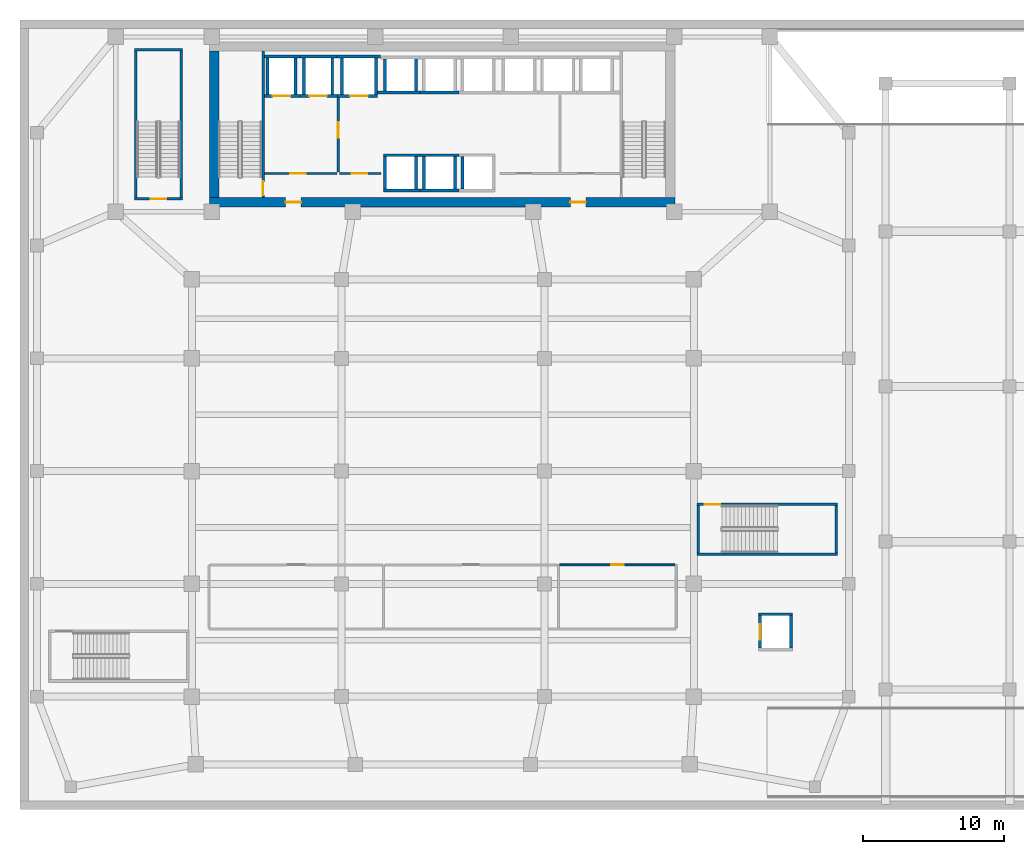
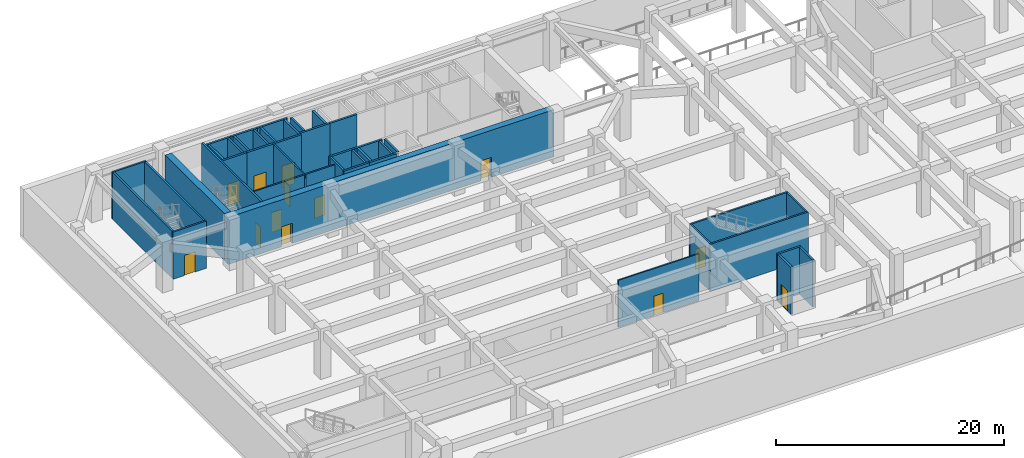
# One storey, part 6 of 14: 43 walls, 13 doors, 13 openings.
"""IFC4 building model written with IfcOpenShell, lengths in metres."""

from ifc_helpers import new_model, si_unit, direction, frame, frame_2d, origin, place, context, subcontext, project, spatial, rectangle, extrude, material, layer, layer_set, type_object, element, fill, save


model = new_model("IFC4")

# Units and contexts
model_context = context("Model", 3, precision=1e-05, world=origin(), true_north=direction((0.0, 1.0)))
body_context = subcontext(model_context, "Body", "Model", "MODEL_VIEW")
ifc_project = project(units=[si_unit("LENGTHUNIT", "METRE"), si_unit("AREAUNIT", "SQUARE_METRE"), si_unit("VOLUMEUNIT", "CUBIC_METRE"), si_unit("PLANEANGLEUNIT", "RADIAN"), si_unit("MASSUNIT", "GRAM", prefix="KILO")], contexts=[model_context])

# Site, building, storey
site_placement = place(None, origin())
site = spatial("IfcSite", under=ifc_project, at=site_placement, CompositionType="ELEMENT")
building_placement = place(site_placement, origin())
building = spatial("IfcBuilding", under=site, at=building_placement, Name="Saevonmaru Cultural Tower", CompositionType="ELEMENT")
storey_placement = place(building_placement, frame((0.0, 0.0, -5.39990234375)))
storey = spatial("IfcBuildingStorey", under=building, at=storey_placement, Name="B1", CompositionType="ELEMENT", Elevation=-5.39990234375)

# Wall, openings, doors
ifc_material_1 = material(Name="Concrete C60/75", Category="concrete")
ifc_layer_1 = layer(ifc_material_1, 0.64990234375, Name="Concrete C60/75")
ifc_layer_set_1 = layer_set([ifc_layer_1], Name="Concrete C60/75")
wall_type_1 = type_object("IfcWallType", Name="WL-CORE-650", PredefinedType="SHEAR", material=ifc_layer_set_1)
wall_1_placement = place(storey_placement, frame((13.449951171875, 43.074951171875, 0.0), z_axis=(0.0, 0.0, 1.0), x_axis=(1.0, 0.0, 0.0)))
wall_1 = element("IfcWall", 1, at=wall_1_placement, inside=storey, type_object=wall_type_1, Name="B1 Tower RC core shear wall S", PredefinedType="SHEAR", context=body_context, shape_type="SweptSolid", body=[
    extrude(rectangle(XDim=33.0, YDim=0.64990234375, at=frame_2d((16.5, 0.0))), origin(), (0.0, 0.0, 1.0), 5.0498046875),
])
opening_1_placement = place(wall_1_placement, frame((5.39990234375, 0.0, 0.0)))
opening_1 = element("IfcOpeningElement", 2, at=opening_1_placement, cuts=wall_1, Name="Opening FD-2", PredefinedType="OPENING", context=body_context, shape_type="SweptSolid", body=[
    extrude(rectangle(XDim=1.10009765625, YDim=2.14990234375, at=frame_2d((0.550048828125, 1.074951171875))), frame((0.0, 0.3349609375, 0.0), z_axis=(0.0, -1.0, 0.0), x_axis=(1.0, 0.0, 0.0)), (0.0, 0.0, 1.0), 0.669921875),
])
opening_2_placement = place(wall_1_placement, frame((25.60009765625, 0.0, 0.0)))
opening_2 = element("IfcOpeningElement", 3, at=opening_2_placement, cuts=wall_1, Name="Opening FD-2", PredefinedType="OPENING", context=body_context, shape_type="SweptSolid", body=[
    extrude(rectangle(XDim=1.10009765625, YDim=2.14990234375, at=frame_2d((0.550048828125, 1.074951171875))), frame((0.0, 0.3349609375, 0.0), z_axis=(0.0, -1.0, 0.0), x_axis=(1.0, 0.0, 0.0)), (0.0, 0.0, 1.0), 0.669921875),
])
ifc_material_2 = material(Name="Satin Bronze Anodised Aluminium", Category="aluminium")
door_type_1 = type_object("IfcDoorType", Name="DR-FD60-1100", OperationType="SINGLE_SWING_LEFT", PredefinedType="DOOR", material=ifc_material_2)
door_1_placement = place(opening_1_placement, origin())
door_1 = element("IfcDoor", 4, at=door_1_placement, inside=storey, type_object=door_type_1, Name="B1 Core West Lobby Fire Door", OperationType="SINGLE_SWING_LEFT", OverallHeight=2.14990234375, OverallWidth=1.10009765625, PredefinedType="DOOR", context=body_context, shape_type="SweptSolid", body=[
    extrude(rectangle(XDim=1.10009765625, YDim=2.14990234375, at=frame_2d((0.550048828125, 1.074951171875))), frame((0.0, 0.02490234375, 0.0), z_axis=(0.0, -1.0, 0.0), x_axis=(1.0, 0.0, 0.0)), (0.0, 0.0, 1.0), 0.050048828125),
])
fill(opening_1, door_1)
door_2_placement = place(opening_2_placement, origin())
door_2 = element("IfcDoor", 5, at=door_2_placement, inside=storey, type_object=door_type_1, Name="B1 Core East Lobby Fire Door", OperationType="SINGLE_SWING_LEFT", OverallHeight=2.14990234375, OverallWidth=1.10009765625, PredefinedType="DOOR", context=body_context, shape_type="SweptSolid", body=[
    extrude(rectangle(XDim=1.10009765625, YDim=2.14990234375, at=frame_2d((0.550048828125, 1.074951171875))), frame((0.0, 0.02490234375, 0.0), z_axis=(0.0, -1.0, 0.0), x_axis=(1.0, 0.0, 0.0)), (0.0, 0.0, 1.0), 0.050048828125),
])
fill(opening_2, door_2)

# Wall
wall_2_placement = place(storey_placement, frame((13.77490234375, 43.39990234375, 0.0), z_axis=(0.0, 0.0, 1.0), x_axis=(0.0, 1.0, 0.0)))
element("IfcWall", 6, at=wall_2_placement, inside=storey, type_object=wall_type_1, Name="B1 Tower RC core shear wall W", PredefinedType="SHEAR", context=body_context, shape_type="SweptSolid", body=[
    extrude(rectangle(XDim=10.400146484375, YDim=0.64990234375, at=frame_2d((5.2001953125, 0.0))), origin(), (0.0, 0.0, 1.0), 5.0498046875),
])

# Wall, opening, door
ifc_material_3 = material(Name="Gypsum Fireboard Partition", Category="gypsum")
ifc_layer_2 = layer(ifc_material_3, 0.14990234375, Name="Gypsum Fireboard Partition")
ifc_layer_set_2 = layer_set([ifc_layer_2], Name="Gypsum Fireboard Partition")
wall_type_2 = type_object("IfcWallType", Name="WL-CORE-PART-150", PredefinedType="PARTITIONING", material=ifc_layer_set_2)
wall_3_placement = place(storey_placement, frame((17.360107421875, 45.1201171875, 0.0), z_axis=(0.0, 0.0, 1.0), x_axis=(1.0, 0.0, 0.0)))
wall_3 = element("IfcWall", 7, at=wall_3_placement, inside=storey, type_object=wall_type_2, Name="B1 Firefighting Lift Lobby South Wall", PredefinedType="PARTITIONING", context=body_context, shape_type="SweptSolid", body=[
    extrude(rectangle(XDim=5.139892578125, YDim=0.14990234375, at=frame_2d((2.56982421875, 0.0))), origin(), (0.0, 0.0, 1.0), 5.0498046875),
])
opening_3_placement = place(wall_3_placement, frame((1.800048828125, 0.0, 0.0)))
opening_3 = element("IfcOpeningElement", 8, at=opening_3_placement, cuts=wall_3, Name="Opening FD-2", PredefinedType="OPENING", context=body_context, shape_type="SweptSolid", body=[
    extrude(rectangle(XDim=1.10009765625, YDim=2.14990234375, at=frame_2d((0.550048828125, 1.074951171875))), frame((0.0, 0.0849609375, 0.0), z_axis=(0.0, -1.0, 0.0), x_axis=(1.0, 0.0, 0.0)), (0.0, 0.0, 1.0), 0.169921875),
])
door_3_placement = place(opening_3_placement, origin())
door_3 = element("IfcDoor", 9, at=door_3_placement, inside=storey, type_object=door_type_1, Name="B1 Firefighting Lift Lobby South Door", OperationType="SINGLE_SWING_LEFT", OverallHeight=2.14990234375, OverallWidth=1.10009765625, PredefinedType="DOOR", context=body_context, shape_type="SweptSolid", body=[
    extrude(rectangle(XDim=1.10009765625, YDim=2.14990234375, at=frame_2d((0.550048828125, 1.074951171875))), frame((0.0, 0.02490234375, 0.0), z_axis=(0.0, -1.0, 0.0), x_axis=(1.0, 0.0, 0.0)), (0.0, 0.0, 1.0), 0.050048828125),
])
fill(opening_3, door_3)

wall_4_placement = place(storey_placement, frame((22.580078125, 50.550048828125, 0.0), z_axis=(0.0, 0.0, 1.0), x_axis=(0.0, -1.0, 0.0)))
wall_4 = element("IfcWall", 10, at=wall_4_placement, inside=storey, type_object=wall_type_2, Name="B1 Firefighting Lift Lobby East Wall", PredefinedType="PARTITIONING", context=body_context, shape_type="SweptSolid", body=[
    extrude(rectangle(XDim=5.330078125, YDim=0.14990234375, at=frame_2d((2.6650390625, 0.0))), origin(), (0.0, 0.0, 1.0), 5.0498046875),
])
opening_4_placement = place(wall_4_placement, frame((1.800048828125, 0.0, 0.0)))
opening_4 = element("IfcOpeningElement", 11, at=opening_4_placement, cuts=wall_4, Name="Opening FD-2", PredefinedType="OPENING", context=body_context, shape_type="SweptSolid", body=[
    extrude(rectangle(XDim=1.10009765625, YDim=2.14990234375, at=frame_2d((0.550048828125, 1.074951171875))), frame((0.0, 0.0849609375, 0.0), z_axis=(0.0, -1.0, 0.0), x_axis=(1.0, 0.0, 0.0)), (0.0, 0.0, 1.0), 0.169921875),
])
door_4_placement = place(opening_4_placement, origin())
door_4 = element("IfcDoor", 12, at=door_4_placement, inside=storey, type_object=door_type_1, Name="B1 Firefighting Lift Lobby East Door", OperationType="SINGLE_SWING_LEFT", OverallHeight=2.14990234375, OverallWidth=1.10009765625, PredefinedType="DOOR", context=body_context, shape_type="SweptSolid", body=[
    extrude(rectangle(XDim=1.10009765625, YDim=2.14990234375, at=frame_2d((0.550048828125, 1.074951171875))), frame((0.0, 0.02490234375, 0.0), z_axis=(0.0, -1.0, 0.0), x_axis=(1.0, 0.0, 0.0)), (0.0, 0.0, 1.0), 0.050048828125),
])
fill(opening_4, door_4)

wall_5_placement = place(storey_placement, frame((22.679931640625, 45.1201171875, 0.0), z_axis=(0.0, 0.0, 1.0), x_axis=(1.0, 0.0, 0.0)))
wall_5 = element("IfcWall", 13, at=wall_5_placement, inside=storey, type_object=wall_type_2, Name="B1 Service Lift Vestibule Wall", PredefinedType="PARTITIONING", context=body_context, shape_type="SweptSolid", body=[
    extrude(rectangle(XDim=2.920166015625, YDim=0.14990234375, at=frame_2d((1.4599609375, 0.0))), origin(), (0.0, 0.0, 1.0), 5.0498046875),
])
opening_5_placement = place(wall_5_placement, frame((0.85009765625, 0.0, 0.0)))
opening_5 = element("IfcOpeningElement", 14, at=opening_5_placement, cuts=wall_5, Name="Opening FD-2", PredefinedType="OPENING", context=body_context, shape_type="SweptSolid", body=[
    extrude(rectangle(XDim=1.10009765625, YDim=2.14990234375, at=frame_2d((0.550048828125, 1.074951171875))), frame((0.0, 0.0849609375, 0.0), z_axis=(0.0, -1.0, 0.0), x_axis=(1.0, 0.0, 0.0)), (0.0, 0.0, 1.0), 0.169921875),
])
door_5_placement = place(opening_5_placement, origin())
door_5 = element("IfcDoor", 15, at=door_5_placement, inside=storey, type_object=door_type_1, Name="B1 Service Lift Vestibule Door", OperationType="SINGLE_SWING_LEFT", OverallHeight=2.14990234375, OverallWidth=1.10009765625, PredefinedType="DOOR", context=body_context, shape_type="SweptSolid", body=[
    extrude(rectangle(XDim=1.10009765625, YDim=2.14990234375, at=frame_2d((0.550048828125, 1.074951171875))), frame((0.0, 0.02490234375, 0.0), z_axis=(0.0, -1.0, 0.0), x_axis=(1.0, 0.0, 0.0)), (0.0, 0.0, 1.0), 0.050048828125),
])
fill(opening_5, door_5)

ifc_layer_3 = layer(ifc_material_3, 0.139892578125, Name="Gypsum Fireboard Partition")
ifc_layer_set_3 = layer_set([ifc_layer_3], Name="Gypsum Fireboard Partition")
wall_type_3 = type_object("IfcWallType", Name="WL-PART-WET-140", PredefinedType="PARTITIONING", material=ifc_layer_set_3)
wall_6_placement = place(storey_placement, frame((38.2900390625, 17.35009765625, 0.0), z_axis=(0.0, 0.0, 1.0), x_axis=(1.0, 0.0, 0.0)))
wall_6 = element("IfcWall", 16, at=wall_6_placement, inside=storey, type_object=wall_type_3, Name="B1 Washroom Concourse Wall", PredefinedType="PARTITIONING", context=body_context, shape_type="SweptSolid", body=[
    extrude(rectangle(XDim=8.169921875, YDim=0.139892578125, at=frame_2d((4.0849609375, 0.0))), origin(), (0.0, 0.0, 1.0), 5.0498046875),
])
opening_6_placement = place(wall_6_placement, frame((3.635009765625, 0.0, 0.0)))
opening_6 = element("IfcOpeningElement", 17, at=opening_6_placement, cuts=wall_6, Name="Opening ID-2", PredefinedType="OPENING", context=body_context, shape_type="SweptSolid", body=[
    extrude(rectangle(XDim=0.89990234375, YDim=2.10009765625, at=frame_2d((0.449951171875, 1.050048828125))), frame((0.0, 0.080078125, 0.0), z_axis=(0.0, -1.0, 0.0), x_axis=(1.0, 0.0, 0.0)), (0.0, 0.0, 1.0), 0.159912109375),
])
ifc_material_4 = material(Name="Acoustic Stained Oak Timber", Category="wood")
door_type_2 = type_object("IfcDoorType", Name="DR-INT-900", OperationType="SINGLE_SWING_RIGHT", PredefinedType="DOOR", material=ifc_material_4)
door_6_placement = place(opening_6_placement, origin())
door_6 = element("IfcDoor", 18, at=door_6_placement, inside=storey, type_object=door_type_2, Name="B1 Accessible Concourse Washroom Door", OperationType="SINGLE_SWING_RIGHT", OverallHeight=2.10009765625, OverallWidth=0.89990234375, PredefinedType="DOOR", context=body_context, shape_type="SweptSolid", body=[
    extrude(rectangle(XDim=0.89990234375, YDim=2.10009765625, at=frame_2d((0.449951171875, 1.050048828125))), frame((0.0, 0.02490234375, 0.0), z_axis=(0.0, -1.0, 0.0), x_axis=(1.0, 0.0, 0.0)), (0.0, 0.0, 1.0), 0.050048828125),
])
fill(opening_6, door_6)

ifc_material_5 = material(Name="Concrete C40/50", Category="concrete")
ifc_layer_4 = layer(ifc_material_5, 0.199951171875, Name="Concrete C40/50")
ifc_layer_set_4 = layer_set([ifc_layer_4], Name="Concrete C40/50")
wall_type_4 = type_object("IfcWallType", Name="WL-SHAFT-200", PredefinedType="SHEAR", material=ifc_layer_set_4)
wall_7_placement = place(storey_placement, frame((17.330078125, 50.60009765625, 0.0), z_axis=(0.0, 0.0, 1.0), x_axis=(1.0, 0.0, 0.0)))
wall_7 = element("IfcWall", 19, at=wall_7_placement, inside=storey, type_object=wall_type_4, Name="B1 Lift FFL-1 Hoistway Wall S", PredefinedType="SHEAR", context=body_context, shape_type="SweptSolid", body=[
    extrude(rectangle(XDim=2.52001953125, YDim=0.199951171875, at=frame_2d((1.260009765625, 0.0))), origin(), (0.0, 0.0, 1.0), 5.0498046875),
])
opening_7_placement = place(wall_7_placement, frame((0.594970703125, 0.0, 0.0)))
opening_7 = element("IfcOpeningElement", 20, at=opening_7_placement, cuts=wall_7, Name="Opening LD-2", PredefinedType="OPENING", context=body_context, shape_type="SweptSolid", body=[
    extrude(rectangle(XDim=1.25, YDim=2.300048828125, at=frame_2d((0.625, 1.14990234375))), frame((0.0, 0.10986328125, 0.0), z_axis=(0.0, -1.0, 0.0), x_axis=(1.0, 0.0, 0.0)), (0.0, 0.0, 1.0), 0.219970703125),
])
ifc_material_6 = material(Name="Stainless Steel 316", Category="steel")
door_type_3 = type_object("IfcDoorType", Name="DR-LIFT-1250", OperationType="SLIDING_TO_LEFT", PredefinedType="DOOR", material=ifc_material_6)
door_7_placement = place(opening_7_placement, origin())
door_7 = element("IfcDoor", 21, at=door_7_placement, inside=storey, type_object=door_type_3, Name="B1 Lift FFL-1 Sliding Landing Door", OperationType="SLIDING_TO_LEFT", OverallHeight=2.300048828125, OverallWidth=1.25, PredefinedType="DOOR", context=body_context, shape_type="SweptSolid", body=[
    extrude(rectangle(XDim=1.25, YDim=2.300048828125, at=frame_2d((0.625, 1.14990234375))), frame((0.0, 0.02490234375, 0.0), z_axis=(0.0, -1.0, 0.0), x_axis=(1.0, 0.0, 0.0)), (0.0, 0.0, 1.0), 0.050048828125),
])
fill(opening_7, door_7)

# Walls
wall_8_placement = place(storey_placement, frame((17.330078125, 53.39990234375, 0.0), z_axis=(0.0, 0.0, 1.0), x_axis=(1.0, 0.0, 0.0)))
element("IfcWall", 22, at=wall_8_placement, inside=storey, type_object=wall_type_4, Name="B1 Lift FFL-1 Hoistway Wall N", PredefinedType="SHEAR", context=body_context, shape_type="SweptSolid", body=[
    extrude(rectangle(XDim=2.52001953125, YDim=0.199951171875, at=frame_2d((1.260009765625, 0.0))), origin(), (0.0, 0.0, 1.0), 5.0498046875),
])
for number, where, z_axis, x_axis, name in (
    (23, (17.550048828125, 50.699951171875, 0.0), (0.0, 0.0, 1.0), (0.0, 1.0, 0.0), "B1 Lift FFL-1 Hoistway Wall W"),
    (24, (19.550048828125, 50.699951171875, 0.0), (0.0, 0.0, 1.0), (0.0, 1.0, 0.0), "B1 Lift FFL-1 Hoistway Wall E"),
):
    element("IfcWall", number, at=place(storey_placement, frame(where, z_axis=z_axis, x_axis=x_axis)), inside=storey, type_object=wall_type_4, Name=name, PredefinedType="SHEAR", context=body_context, shape_type="SweptSolid", body=[
        extrude(rectangle(XDim=2.60009765625, YDim=0.199951171875, at=frame_2d((1.300048828125, 0.0))), origin(), (0.0, 0.0, 1.0), 5.0498046875),
    ])

# Wall, opening, door
wall_9_placement = place(storey_placement, frame((19.85009765625, 50.60009765625, 0.0), z_axis=(0.0, 0.0, 1.0), x_axis=(1.0, 0.0, 0.0)))
wall_9 = element("IfcWall", 25, at=wall_9_placement, inside=storey, type_object=wall_type_4, Name="B1 Lift FFL-2 Hoistway Wall S", PredefinedType="SHEAR", context=body_context, shape_type="SweptSolid", body=[
    extrude(rectangle(XDim=2.64990234375, YDim=0.199951171875, at=frame_2d((1.324951171875, 0.0))), origin(), (0.0, 0.0, 1.0), 5.0498046875),
])
opening_8_placement = place(wall_9_placement, frame((0.675048828125, 0.0, 0.0)))
opening_8 = element("IfcOpeningElement", 26, at=opening_8_placement, cuts=wall_9, Name="Opening LD-2", PredefinedType="OPENING", context=body_context, shape_type="SweptSolid", body=[
    extrude(rectangle(XDim=1.25, YDim=2.300048828125, at=frame_2d((0.625, 1.14990234375))), frame((0.0, 0.10986328125, 0.0), z_axis=(0.0, -1.0, 0.0), x_axis=(1.0, 0.0, 0.0)), (0.0, 0.0, 1.0), 0.219970703125),
])
door_8_placement = place(opening_8_placement, origin())
door_8 = element("IfcDoor", 27, at=door_8_placement, inside=storey, type_object=door_type_3, Name="B1 Lift FFL-2 Sliding Landing Door", OperationType="SLIDING_TO_LEFT", OverallHeight=2.300048828125, OverallWidth=1.25, PredefinedType="DOOR", context=body_context, shape_type="SweptSolid", body=[
    extrude(rectangle(XDim=1.25, YDim=2.300048828125, at=frame_2d((0.625, 1.14990234375))), frame((0.0, 0.02490234375, 0.0), z_axis=(0.0, -1.0, 0.0), x_axis=(1.0, 0.0, 0.0)), (0.0, 0.0, 1.0), 0.050048828125),
])
fill(opening_8, door_8)

# Walls
wall_10_placement = place(storey_placement, frame((19.85009765625, 53.39990234375, 0.0), z_axis=(0.0, 0.0, 1.0), x_axis=(1.0, 0.0, 0.0)))
element("IfcWall", 28, at=wall_10_placement, inside=storey, type_object=wall_type_4, Name="B1 Lift FFL-2 Hoistway Wall N", PredefinedType="SHEAR", context=body_context, shape_type="SweptSolid", body=[
    extrude(rectangle(XDim=2.64990234375, YDim=0.199951171875, at=frame_2d((1.324951171875, 0.0))), origin(), (0.0, 0.0, 1.0), 5.0498046875),
])
for number, where, z_axis, x_axis, name in (
    (29, (20.14990234375, 50.699951171875, 0.0), (0.0, 0.0, 1.0), (0.0, 1.0, 0.0), "B1 Lift FFL-2 Hoistway Wall W"),
    (30, (22.14990234375, 50.699951171875, 0.0), (0.0, 0.0, 1.0), (0.0, 1.0, 0.0), "B1 Lift FFL-2 Hoistway Wall E"),
):
    element("IfcWall", number, at=place(storey_placement, frame(where, z_axis=z_axis, x_axis=x_axis)), inside=storey, type_object=wall_type_4, Name=name, PredefinedType="SHEAR", context=body_context, shape_type="SweptSolid", body=[
        extrude(rectangle(XDim=2.60009765625, YDim=0.199951171875, at=frame_2d((1.300048828125, 0.0))), origin(), (0.0, 0.0, 1.0), 5.0498046875),
    ])

# Wall, opening, door
wall_11_placement = place(storey_placement, frame((22.5, 50.60009765625, 0.0), z_axis=(0.0, 0.0, 1.0), x_axis=(1.0, 0.0, 0.0)))
wall_11 = element("IfcWall", 31, at=wall_11_placement, inside=storey, type_object=wall_type_4, Name="B1 Lift GL-1 Hoistway Wall S", PredefinedType="SHEAR", context=body_context, shape_type="SweptSolid", body=[
    extrude(rectangle(XDim=2.85009765625, YDim=0.199951171875, at=frame_2d((1.425048828125, 0.0))), origin(), (0.0, 0.0, 1.0), 5.0498046875),
])
opening_9_placement = place(wall_11_placement, frame((0.925048828125, 0.0, 0.0)))
opening_9 = element("IfcOpeningElement", 32, at=opening_9_placement, cuts=wall_11, Name="Opening LD-2", PredefinedType="OPENING", context=body_context, shape_type="SweptSolid", body=[
    extrude(rectangle(XDim=1.25, YDim=2.300048828125, at=frame_2d((0.625, 1.14990234375))), frame((0.0, 0.10986328125, 0.0), z_axis=(0.0, -1.0, 0.0), x_axis=(1.0, 0.0, 0.0)), (0.0, 0.0, 1.0), 0.219970703125),
])
door_9_placement = place(opening_9_placement, origin())
door_9 = element("IfcDoor", 33, at=door_9_placement, inside=storey, type_object=door_type_3, Name="B1 Lift GL-1 Sliding Landing Door", OperationType="SLIDING_TO_LEFT", OverallHeight=2.300048828125, OverallWidth=1.25, PredefinedType="DOOR", context=body_context, shape_type="SweptSolid", body=[
    extrude(rectangle(XDim=1.25, YDim=2.300048828125, at=frame_2d((0.625, 1.14990234375))), frame((0.0, 0.02490234375, 0.0), z_axis=(0.0, -1.0, 0.0), x_axis=(1.0, 0.0, 0.0)), (0.0, 0.0, 1.0), 0.050048828125),
])
fill(opening_9, door_9)

# Walls
wall_12_placement = place(storey_placement, frame((22.5, 53.39990234375, 0.0), z_axis=(0.0, 0.0, 1.0), x_axis=(1.0, 0.0, 0.0)))
element("IfcWall", 34, at=wall_12_placement, inside=storey, type_object=wall_type_4, Name="B1 Lift GL-1 Hoistway Wall N", PredefinedType="SHEAR", context=body_context, shape_type="SweptSolid", body=[
    extrude(rectangle(XDim=3.074951171875, YDim=0.199951171875, at=frame_2d((1.53759765625, 0.0))), origin(), (0.0, 0.0, 1.0), 5.0498046875),
])
for number, where, z_axis, x_axis, name in (
    (35, (22.85009765625, 50.699951171875, 0.0), (0.0, 0.0, 1.0), (0.0, 1.0, 0.0), "B1 Lift GL-1 Hoistway Wall W"),
    (36, (25.25, 50.699951171875, 0.0), (0.0, 0.0, 1.0), (0.0, 1.0, 0.0), "B1 Lift GL-1 Hoistway Wall E"),
):
    element("IfcWall", number, at=place(storey_placement, frame(where, z_axis=z_axis, x_axis=x_axis)), inside=storey, type_object=wall_type_4, Name=name, PredefinedType="SHEAR", context=body_context, shape_type="SweptSolid", body=[
        extrude(rectangle(XDim=2.60009765625, YDim=0.199951171875, at=frame_2d((1.300048828125, 0.0))), origin(), (0.0, 0.0, 1.0), 5.0498046875),
    ])
wall_13_placement = place(storey_placement, frame((25.35009765625, 50.85009765625, 0.0), z_axis=(0.0, 0.0, 1.0), x_axis=(1.0, 0.0, 0.0)))
element("IfcWall", 37, at=wall_13_placement, inside=storey, type_object=wall_type_4, Name="B1 Lift PL-L1 Hoistway Wall S", PredefinedType="SHEAR", context=body_context, shape_type="SweptSolid", body=[
    extrude(rectangle(XDim=3.02490234375, YDim=0.199951171875, at=frame_2d((1.512451171875, 0.0))), origin(), (0.0, 0.0, 1.0), 5.0498046875),
])
for number, where, z_axis, x_axis, name in (
    (38, (25.89990234375, 50.949951171875, 0.0), (0.0, 0.0, 1.0), (0.0, 1.0, 0.0), "B1 Lift PL-L1 Hoistway Wall W"),
    (39, (28.10009765625, 50.949951171875, 0.0), (0.0, 0.0, 1.0), (0.0, 1.0, 0.0), "B1 Lift PL-L1 Hoistway Wall E"),
):
    element("IfcWall", number, at=place(storey_placement, frame(where, z_axis=z_axis, x_axis=x_axis)), inside=storey, type_object=wall_type_4, Name=name, PredefinedType="SHEAR", context=body_context, shape_type="SweptSolid", body=[
        extrude(rectangle(XDim=2.300048828125, YDim=0.199951171875, at=frame_2d((1.14990234375, 0.0))), origin(), (0.0, 0.0, 1.0), 5.0498046875),
    ])
wall_14_placement = place(storey_placement, frame((28.375, 50.85009765625, 0.0), z_axis=(0.0, 0.0, 1.0), x_axis=(1.0, 0.0, 0.0)))
element("IfcWall", 40, at=wall_14_placement, inside=storey, type_object=wall_type_4, Name="B1 Lift PL-L2 Hoistway Wall S", PredefinedType="SHEAR", context=body_context, shape_type="SweptSolid", body=[
    extrude(rectangle(XDim=2.75, YDim=0.199951171875, at=frame_2d((1.375, 0.0))), origin(), (0.0, 0.0, 1.0), 5.0498046875),
])
for number, where, z_axis, x_axis, name in (
    (41, (25.800048828125, 43.89990234375, 0.0), (0.0, 0.0, 1.0), (1.0, 0.0, 0.0), "B1 Lift PL-M1 Hoistway Wall S"),
    (42, (25.800048828125, 46.39990234375, 0.0), (0.0, 0.0, 1.0), (1.0, 0.0, 0.0), "B1 Lift PL-M1 Hoistway Wall N"),
):
    element("IfcWall", number, at=place(storey_placement, frame(where, z_axis=z_axis, x_axis=x_axis)), inside=storey, type_object=wall_type_4, Name=name, PredefinedType="SHEAR", context=body_context, shape_type="SweptSolid", body=[
        extrude(rectangle(XDim=2.574951171875, YDim=0.199951171875, at=frame_2d((1.28759765625, 0.0))), origin(), (0.0, 0.0, 1.0), 5.0498046875),
    ])
for number, where, z_axis, x_axis, name in (
    (43, (25.89990234375, 44.0, 0.0), (0.0, 0.0, 1.0), (0.0, 1.0, 0.0), "B1 Lift PL-M1 Hoistway Wall W"),
    (44, (28.10009765625, 44.0, 0.0), (0.0, 0.0, 1.0), (0.0, 1.0, 0.0), "B1 Lift PL-M1 Hoistway Wall E"),
):
    element("IfcWall", number, at=place(storey_placement, frame(where, z_axis=z_axis, x_axis=x_axis)), inside=storey, type_object=wall_type_4, Name=name, PredefinedType="SHEAR", context=body_context, shape_type="SweptSolid", body=[
        extrude(rectangle(XDim=2.300048828125, YDim=0.199951171875, at=frame_2d((1.14990234375, 0.0))), origin(), (0.0, 0.0, 1.0), 5.0498046875),
    ])
for number, where, z_axis, x_axis, name in (
    (45, (28.375, 43.89990234375, 0.0), (0.0, 0.0, 1.0), (1.0, 0.0, 0.0), "B1 Lift PL-M2 Hoistway Wall S"),
    (46, (28.375, 46.39990234375, 0.0), (0.0, 0.0, 1.0), (1.0, 0.0, 0.0), "B1 Lift PL-M2 Hoistway Wall N"),
):
    element("IfcWall", number, at=place(storey_placement, frame(where, z_axis=z_axis, x_axis=x_axis)), inside=storey, type_object=wall_type_4, Name=name, PredefinedType="SHEAR", context=body_context, shape_type="SweptSolid", body=[
        extrude(rectangle(XDim=2.75, YDim=0.199951171875, at=frame_2d((1.375, 0.0))), origin(), (0.0, 0.0, 1.0), 5.0498046875),
    ])
for number, where, z_axis, x_axis, name in (
    (47, (28.64990234375, 44.0, 0.0), (0.0, 0.0, 1.0), (0.0, 1.0, 0.0), "B1 Lift PL-M2 Hoistway Wall W"),
    (48, (30.85009765625, 44.0, 0.0), (0.0, 0.0, 1.0), (0.0, 1.0, 0.0), "B1 Lift PL-M2 Hoistway Wall E"),
    (49, (31.39990234375, 44.0, 0.0), (0.0, 0.0, 1.0), (0.0, 1.0, 0.0), "B1 Lift PL-M3 Hoistway Wall W"),
):
    element("IfcWall", number, at=place(storey_placement, frame(where, z_axis=z_axis, x_axis=x_axis)), inside=storey, type_object=wall_type_4, Name=name, PredefinedType="SHEAR", context=body_context, shape_type="SweptSolid", body=[
        extrude(rectangle(XDim=2.300048828125, YDim=0.199951171875, at=frame_2d((1.14990234375, 0.0))), origin(), (0.0, 0.0, 1.0), 5.0498046875),
    ])
wall_15_placement = place(storey_placement, frame((52.39990234375, 13.85009765625, 0.0), z_axis=(0.0, 0.0, 1.0), x_axis=(1.0, 0.0, 0.0)))
element("IfcWall", 50, at=wall_15_placement, inside=storey, type_object=wall_type_4, Name="B1 Lift SLF-1 Hoistway Wall N", PredefinedType="SHEAR", context=body_context, shape_type="SweptSolid", body=[
    extrude(rectangle(XDim=2.400146484375, YDim=0.199951171875, at=frame_2d((1.2001953125, 0.0))), origin(), (0.0, 0.0, 1.0), 5.0498046875),
])

# Wall, opening, door
wall_16_placement = place(storey_placement, frame((52.5, 11.449951171875, 0.0), z_axis=(0.0, 0.0, 1.0), x_axis=(0.0, 1.0, 0.0)))
wall_16 = element("IfcWall", 51, at=wall_16_placement, inside=storey, type_object=wall_type_4, Name="B1 Lift SLF-1 Hoistway Wall W", PredefinedType="SHEAR", context=body_context, shape_type="SweptSolid", body=[
    extrude(rectangle(XDim=2.300048828125, YDim=0.199951171875, at=frame_2d((1.14990234375, 0.0))), origin(), (0.0, 0.0, 1.0), 5.0498046875),
])
opening_10_placement = place(wall_16_placement, frame((0.60009765625, 0.0, 0.0)))
opening_10 = element("IfcOpeningElement", 52, at=opening_10_placement, cuts=wall_16, Name="Opening LD-1", PredefinedType="OPENING", context=body_context, shape_type="SweptSolid", body=[
    extrude(rectangle(XDim=1.10009765625, YDim=2.199951171875, at=frame_2d((0.550048828125, 1.10009765625))), frame((0.0, 0.10986328125, 0.0), z_axis=(0.0, -1.0, 0.0), x_axis=(1.0, 0.0, 0.0)), (0.0, 0.0, 1.0), 0.219970703125),
])
ifc_material_7 = material(Name="Satin Bronze Stainless Steel", Category="steel")
door_type_4 = type_object("IfcDoorType", Name="DR-LIFT-1100", OperationType="SLIDING_TO_LEFT", PredefinedType="DOOR", material=ifc_material_7)
door_10_placement = place(opening_10_placement, origin())
door_10 = element("IfcDoor", 53, at=door_10_placement, inside=storey, type_object=door_type_4, Name="B1 Lift SLF-1 Sliding Landing Door", OperationType="SLIDING_TO_LEFT", OverallHeight=2.199951171875, OverallWidth=1.10009765625, PredefinedType="DOOR", context=body_context, shape_type="SweptSolid", body=[
    extrude(rectangle(XDim=1.10009765625, YDim=2.199951171875, at=frame_2d((0.550048828125, 1.10009765625))), frame((0.0, 0.02490234375, 0.0), z_axis=(0.0, -1.0, 0.0), x_axis=(1.0, 0.0, 0.0)), (0.0, 0.0, 1.0), 0.050048828125),
])
fill(opening_10, door_10)

# Wall
wall_17_placement = place(storey_placement, frame((54.699951171875, 11.449951171875, 0.0), z_axis=(0.0, 0.0, 1.0), x_axis=(0.0, 1.0, 0.0)))
element("IfcWall", 54, at=wall_17_placement, inside=storey, type_object=wall_type_4, Name="B1 Lift SLF-1 Hoistway Wall E", PredefinedType="SHEAR", context=body_context, shape_type="SweptSolid", body=[
    extrude(rectangle(XDim=2.300048828125, YDim=0.199951171875, at=frame_2d((1.14990234375, 0.0))), origin(), (0.0, 0.0, 1.0), 5.0498046875),
])

# Wall, opening, door
ifc_layer_5 = layer(ifc_material_5, 0.179931640625, Name="Concrete C40/50")
ifc_layer_set_5 = layer_set([ifc_layer_5], Name="Concrete C40/50")
wall_type_5 = type_object("IfcWallType", Name="WL-STSHAFT-180", PredefinedType="SHEAR", material=ifc_layer_set_5)
wall_18_placement = place(storey_placement, frame((17.239990234375, 43.39990234375, 0.0), z_axis=(0.0, 0.0, 1.0), x_axis=(0.0, 1.0, 0.0)))
wall_18 = element("IfcWall", 55, at=wall_18_placement, inside=storey, type_object=wall_type_5, Name="B1 Stair ST-1 Structural Shaft Wall 1", PredefinedType="SHEAR", context=body_context, shape_type="SweptSolid", body=[
    extrude(rectangle(XDim=10.400146484375, YDim=0.179931640625, at=frame_2d((5.2001953125, 0.0))), origin(), (0.0, 0.0, 1.0), 5.0498046875),
])
opening_11_placement = place(wall_18_placement, frame((0.159912109375, 0.0, 0.0)))
opening_11 = element("IfcOpeningElement", 56, at=opening_11_placement, cuts=wall_18, Name="Opening FD-3", PredefinedType="OPENING", context=body_context, shape_type="SweptSolid", body=[
    extrude(rectangle(XDim=1.0, YDim=2.14990234375, at=frame_2d((0.5, 1.074951171875))), frame((0.0, 0.10009765625, 0.0), z_axis=(0.0, -1.0, 0.0), x_axis=(1.0, 0.0, 0.0)), (0.0, 0.0, 1.0), 0.199951171875),
])
door_type_5 = type_object("IfcDoorType", Name="DR-FD60-1000", OperationType="SINGLE_SWING_RIGHT", PredefinedType="DOOR", material=ifc_material_2)
door_11_placement = place(opening_11_placement, origin())
door_11 = element("IfcDoor", 57, at=door_11_placement, inside=storey, type_object=door_type_5, Name="B1 Protected Stair ST-1 Fire Door", OperationType="SINGLE_SWING_RIGHT", OverallHeight=2.14990234375, OverallWidth=1.0, PredefinedType="DOOR", context=body_context, shape_type="SweptSolid", body=[
    extrude(rectangle(XDim=1.0, YDim=2.14990234375, at=frame_2d((0.5, 1.074951171875))), frame((0.0, 0.02490234375, 0.0), z_axis=(0.0, -1.0, 0.0), x_axis=(1.0, 0.0, 0.0)), (0.0, 0.0, 1.0), 0.050048828125),
])
fill(opening_11, door_11)

wall_19_placement = place(storey_placement, frame((8.1201171875, 43.31005859375, 0.0), z_axis=(0.0, 0.0, 1.0), x_axis=(1.0, 0.0, 0.0)))
wall_19 = element("IfcWall", 58, at=wall_19_placement, inside=storey, type_object=wall_type_5, Name="B1 Stair ST-3 Structural Shaft Wall 1", PredefinedType="SHEAR", context=body_context, shape_type="SweptSolid", body=[
    extrude(rectangle(XDim=3.409912109375, YDim=0.179931640625, at=frame_2d((1.705078125, 0.0))), origin(), (0.0, 0.0, 1.0), 5.0498046875),
])
opening_12_placement = place(wall_19_placement, frame((1.14990234375, 0.0, 0.0)))
opening_12 = element("IfcOpeningElement", 59, at=opening_12_placement, cuts=wall_19, Name="Opening FD-2", PredefinedType="OPENING", context=body_context, shape_type="SweptSolid", body=[
    extrude(rectangle(XDim=1.10009765625, YDim=2.14990234375, at=frame_2d((0.550048828125, 1.074951171875))), frame((0.0, 0.10009765625, 0.0), z_axis=(0.0, -1.0, 0.0), x_axis=(1.0, 0.0, 0.0)), (0.0, 0.0, 1.0), 0.199951171875),
])
door_12_placement = place(opening_12_placement, origin())
door_12 = element("IfcDoor", 60, at=door_12_placement, inside=storey, type_object=door_type_1, Name="B1 Protected Stair ST-3 Fire Door", OperationType="SINGLE_SWING_LEFT", OverallHeight=2.14990234375, OverallWidth=1.10009765625, PredefinedType="DOOR", context=body_context, shape_type="SweptSolid", body=[
    extrude(rectangle(XDim=1.10009765625, YDim=2.14990234375, at=frame_2d((0.550048828125, 1.074951171875))), frame((0.0, 0.02490234375, 0.0), z_axis=(0.0, -1.0, 0.0), x_axis=(1.0, 0.0, 0.0)), (0.0, 0.0, 1.0), 0.050048828125),
])
fill(opening_12, door_12)

# Walls
wall_20_placement = place(storey_placement, frame((11.43994140625, 43.39990234375, 0.0), z_axis=(0.0, 0.0, 1.0), x_axis=(0.0, 1.0, 0.0)))
element("IfcWall", 61, at=wall_20_placement, inside=storey, type_object=wall_type_5, Name="B1 Stair ST-3 Structural Shaft Wall 2", PredefinedType="SHEAR", context=body_context, shape_type="SweptSolid", body=[
    extrude(rectangle(XDim=10.400146484375, YDim=0.179931640625, at=frame_2d((5.2001953125, 0.0))), origin(), (0.0, 0.0, 1.0), 5.0498046875),
])
wall_21_placement = place(storey_placement, frame((11.530029296875, 53.889892578125, 0.0), z_axis=(0.0, 0.0, 1.0), x_axis=(-1.0, 0.0, 0.0)))
element("IfcWall", 62, at=wall_21_placement, inside=storey, type_object=wall_type_5, Name="B1 Stair ST-3 Structural Shaft Wall 3", PredefinedType="SHEAR", context=body_context, shape_type="SweptSolid", body=[
    extrude(rectangle(XDim=3.409912109375, YDim=0.179931640625, at=frame_2d((1.705078125, 0.0))), origin(), (0.0, 0.0, 1.0), 5.0498046875),
])
wall_22_placement = place(storey_placement, frame((8.2099609375, 53.800048828125, 0.0), z_axis=(0.0, 0.0, 1.0), x_axis=(0.0, -1.0, 0.0)))
element("IfcWall", 63, at=wall_22_placement, inside=storey, type_object=wall_type_5, Name="B1 Stair ST-3 Structural Shaft Wall 4", PredefinedType="SHEAR", context=body_context, shape_type="SweptSolid", body=[
    extrude(rectangle(XDim=10.400146484375, YDim=0.179931640625, at=frame_2d((5.2001953125, 0.0))), origin(), (0.0, 0.0, 1.0), 5.0498046875),
])

# Wall, opening, door
wall_23_placement = place(storey_placement, frame((48.02001953125, 21.639892578125, 0.0), z_axis=(0.0, 0.0, 1.0), x_axis=(1.0, 0.0, 0.0)))
wall_23 = element("IfcWall", 64, at=wall_23_placement, inside=storey, type_object=wall_type_5, Name="B1 Stair SST-2 Structural Shaft Wall 1", PredefinedType="SHEAR", context=body_context, shape_type="SweptSolid", body=[
    extrude(rectangle(XDim=9.9599609375, YDim=0.179931640625, at=frame_2d((4.97998046875, 0.0))), origin(), (0.0, 0.0, 1.0), 5.0498046875),
])
opening_13_placement = place(wall_23_placement, frame((0.550048828125, 0.0, 0.0)))
opening_13 = element("IfcOpeningElement", 65, at=opening_13_placement, cuts=wall_23, Name="Opening FD-2", PredefinedType="OPENING", context=body_context, shape_type="SweptSolid", body=[
    extrude(rectangle(XDim=1.10009765625, YDim=2.14990234375, at=frame_2d((0.550048828125, 1.074951171875))), frame((0.0, 0.10009765625, 0.0), z_axis=(0.0, -1.0, 0.0), x_axis=(1.0, 0.0, 0.0)), (0.0, 0.0, 1.0), 0.199951171875),
])
door_13_placement = place(opening_13_placement, origin())
door_13 = element("IfcDoor", 66, at=door_13_placement, inside=storey, type_object=door_type_1, Name="B1 Protected Stair SST-2 Fire Door", OperationType="SINGLE_SWING_LEFT", OverallHeight=2.14990234375, OverallWidth=1.10009765625, PredefinedType="DOOR", context=body_context, shape_type="SweptSolid", body=[
    extrude(rectangle(XDim=1.10009765625, YDim=2.14990234375, at=frame_2d((0.550048828125, 1.074951171875))), frame((0.0, 0.02490234375, 0.0), z_axis=(0.0, -1.0, 0.0), x_axis=(1.0, 0.0, 0.0)), (0.0, 0.0, 1.0), 0.050048828125),
])
fill(opening_13, door_13)

# Walls
wall_24_placement = place(storey_placement, frame((57.889892578125, 21.550048828125, 0.0), z_axis=(0.0, 0.0, 1.0), x_axis=(0.0, -1.0, 0.0)))
element("IfcWall", 67, at=wall_24_placement, inside=storey, type_object=wall_type_5, Name="B1 Stair SST-2 Structural Shaft Wall 2", PredefinedType="SHEAR", context=body_context, shape_type="SweptSolid", body=[
    extrude(rectangle(XDim=3.35009765625, YDim=0.179931640625, at=frame_2d((1.675048828125, 0.0))), origin(), (0.0, 0.0, 1.0), 5.0498046875),
])
wall_25_placement = place(storey_placement, frame((57.97998046875, 18.110107421875, 0.0), z_axis=(0.0, 0.0, 1.0), x_axis=(-1.0, 0.0, 0.0)))
element("IfcWall", 68, at=wall_25_placement, inside=storey, type_object=wall_type_5, Name="B1 Stair SST-2 Structural Shaft Wall 3", PredefinedType="SHEAR", context=body_context, shape_type="SweptSolid", body=[
    extrude(rectangle(XDim=9.9599609375, YDim=0.179931640625, at=frame_2d((4.97998046875, 0.0))), origin(), (0.0, 0.0, 1.0), 5.0498046875),
])
wall_26_placement = place(storey_placement, frame((48.110107421875, 18.199951171875, 0.0), z_axis=(0.0, 0.0, 1.0), x_axis=(0.0, 1.0, 0.0)))
element("IfcWall", 69, at=wall_26_placement, inside=storey, type_object=wall_type_5, Name="B1 Stair SST-2 Structural Shaft Wall 4", PredefinedType="SHEAR", context=body_context, shape_type="SweptSolid", body=[
    extrude(rectangle(XDim=3.35009765625, YDim=0.179931640625, at=frame_2d((1.675048828125, 0.0))), origin(), (0.0, 0.0, 1.0), 5.0498046875),
])

save(model, "model.ifc")
